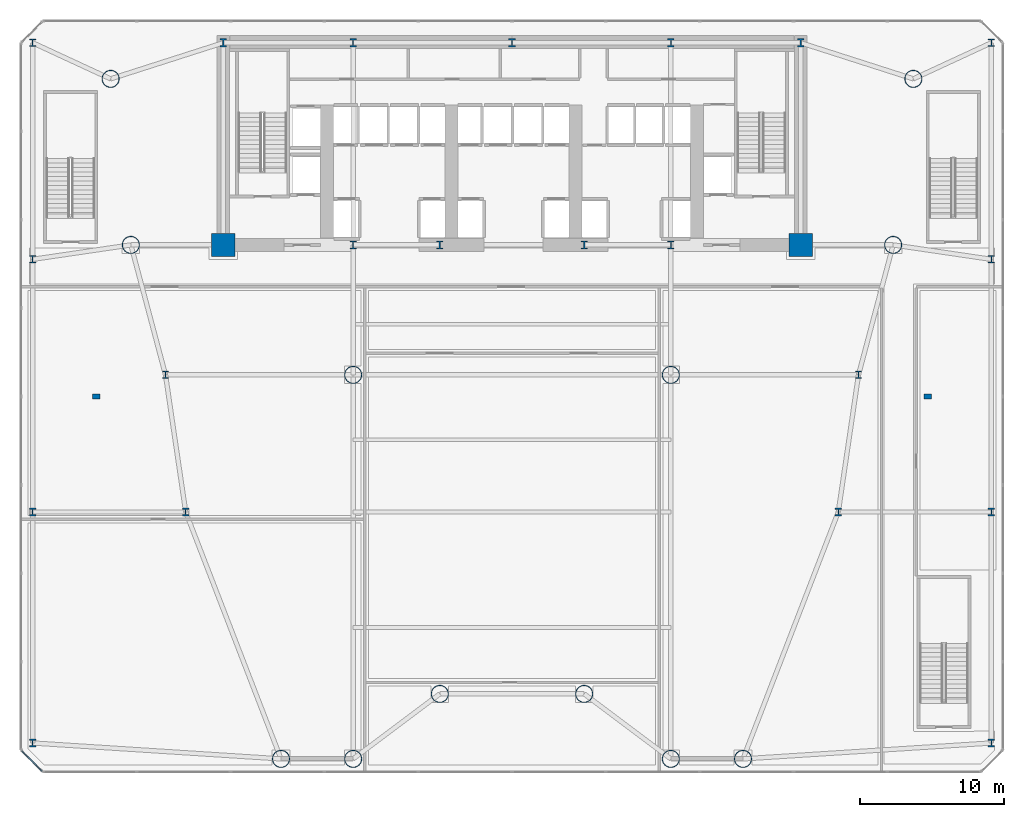
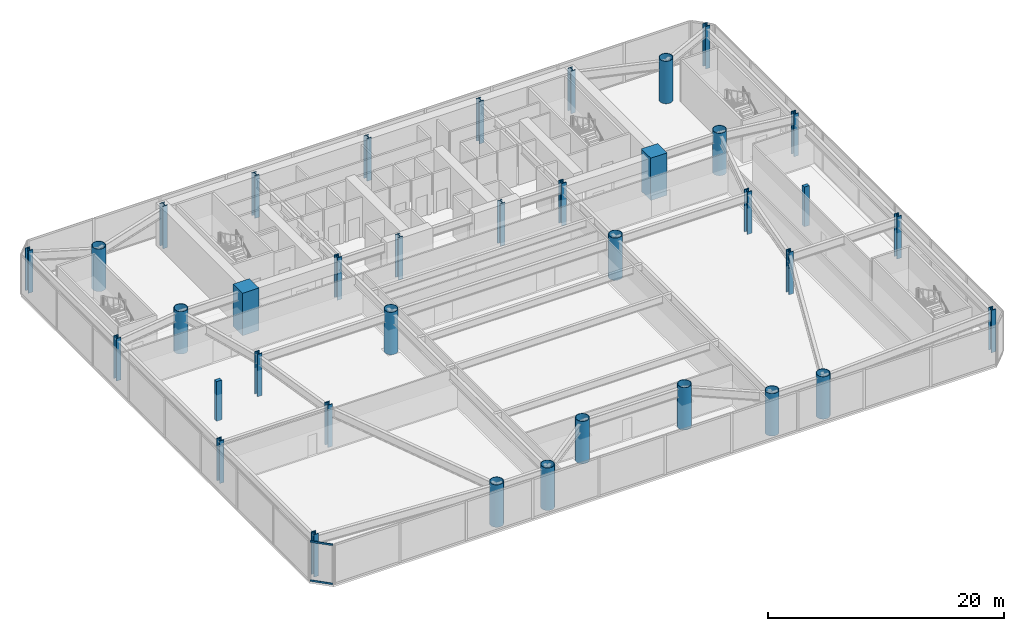
# One storey, part 1 of 24: 37 columns, 2 members, 1 element without a shape of its own.
"""IFC4 building model written with IfcOpenShell, lengths in metres."""

from ifc_helpers import new_model, si_unit, direction, frame, origin, origin_2d, place, context, subcontext, project, spatial, rectangle, hollow_circle, i_section, extrude, source, transform, mapped, material, layer, layer_set, material_profile, profile_set, type_object, element, aggregate, save


model = new_model("IFC4")

# Units and contexts
model_context = context("Model", 3, precision=1e-05, world=origin(), true_north=direction((0.0, 1.0)))
body_context = subcontext(model_context, "Body", "Model", "MODEL_VIEW")
ifc_project = project(units=[si_unit("LENGTHUNIT", "METRE"), si_unit("AREAUNIT", "SQUARE_METRE"), si_unit("VOLUMEUNIT", "CUBIC_METRE"), si_unit("PLANEANGLEUNIT", "RADIAN"), si_unit("MASSUNIT", "GRAM", prefix="KILO")], contexts=[model_context])

# Site, building, storey
site_placement = place(None, origin())
site = spatial("IfcSite", under=ifc_project, at=site_placement, CompositionType="ELEMENT")
building_placement = place(site_placement, origin())
building = spatial("IfcBuilding", under=site, at=building_placement, Name="Vaeldorn Concourse Tower", CompositionType="ELEMENT")
storey_placement = place(building_placement, frame((0.0, 0.0, 10.0)))
storey = spatial("IfcBuildingStorey", under=building, at=storey_placement, Name="L02", CompositionType="ELEMENT", Elevation=10.0)

# Columns
ifc_material_1 = material(Name="Concrete C60/75", Category="concrete")
ifc_material_profile_1 = material_profile(ifc_material_1, rectangle(XDim=1.60009765625, YDim=1.60009765625, at=origin_2d()), Name="RC 1600x1600")
ifc_profile_set_1 = profile_set([ifc_material_profile_1], Name="Concrete C60/75")
column_type_1 = type_object("IfcColumnType", Name="COL-RC1600", PredefinedType="COLUMN", material=ifc_profile_set_1)
shared_shape_1 = source(origin(), body_context, "Body", "SweptSolid", [
    extrude(rectangle(XDim=1.60009765625, YDim=1.60009765625, at=origin_2d()), origin(), (0.0, 0.0, 1.0), 4.39990234375),
])
for number, where, z_axis, x_axis, name in (
    (1, (14.0, 36.5, 0.0), (0.0, 0.0, 1.0), (1.0, 0.0, 0.0), "Column C-FC1 L02"),
    (2, (54.0, 36.5, 0.0), (0.0, 0.0, 1.0), (1.0, 0.0, 0.0), "Column C-FC6 L02"),
):
    element("IfcColumn", number, at=place(storey_placement, frame(where, z_axis=z_axis, x_axis=x_axis)), inside=storey, type_object=column_type_1, Name=name, PredefinedType="COLUMN", context=body_context, shape_type="MappedRepresentation", body=[
        mapped(shared_shape_1, transform((0.0, 0.0, 0.0), scale=1.0)),
    ])
ifc_material_2 = material(Name="Steel S460", Category="steel")
ifc_material_profile_2 = material_profile(ifc_material_2, i_section(OverallWidth=0.4541015625, OverallDepth=0.569091796875, WebThickness=0.077880859375, FlangeThickness=0.080078125, FilletRadius=0.014892578125, at=origin_2d()), Name="HD 400x1086")
ifc_profile_set_2 = profile_set([ifc_material_profile_2], Name="Steel S460")
column_type_2 = type_object("IfcColumnType", Name="COL-HD1086", PredefinedType="COLUMN", material=ifc_profile_set_2)
shared_shape_2 = source(origin(), body_context, "Body", "SweptSolid", [
    extrude(i_section(OverallWidth=0.4541015625, OverallDepth=0.569091796875, WebThickness=0.077880859375, FlangeThickness=0.080078125, FilletRadius=0.014892578125, at=origin_2d()), origin(), (0.0, 0.0, 1.0), 4.39990234375),
])
for number, where, z_axis, x_axis, name in (
    (3, (23.0, 36.5, 0.0), (0.0, 0.0, 1.0), (1.0, 0.0, 0.0), "Column C-FC2 L02"),
    (4, (29.0, 36.5, 0.0), (0.0, 0.0, 1.0), (1.0, 0.0, 0.0), "Column C-FC3 L02"),
    (5, (39.0, 36.5, 0.0), (0.0, 0.0, 1.0), (1.0, 0.0, 0.0), "Column C-FC4 L02"),
    (6, (45.0, 36.5, 0.0), (0.0, 0.0, 1.0), (1.0, 0.0, 0.0), "Column C-FC5 L02"),
    (7, (14.0, 50.5, 0.0), (0.0, 0.0, 1.0), (1.0, 0.0, 0.0), "Column C-HC1 L02"),
    (8, (23.0, 50.5, 0.0), (0.0, 0.0, 1.0), (1.0, 0.0, 0.0), "Column C-HC2 L02"),
    (9, (34.0, 50.5, 0.0), (0.0, 0.0, 1.0), (1.0, 0.0, 0.0), "Column C-HC3 L02"),
    (10, (45.0, 50.5, 0.0), (0.0, 0.0, 1.0), (1.0, 0.0, 0.0), "Column C-HC4 L02"),
    (11, (54.0, 50.5, 0.0), (0.0, 0.0, 1.0), (1.0, 0.0, 0.0), "Column C-HC5 L02"),
):
    element("IfcColumn", number, at=place(storey_placement, frame(where, z_axis=z_axis, x_axis=x_axis)), inside=storey, type_object=column_type_2, Name=name, PredefinedType="COLUMN", context=body_context, shape_type="MappedRepresentation", body=[
        mapped(shared_shape_2, transform((0.0, 0.0, 0.0), scale=1.0)),
    ])
ifc_material_profile_3 = material_profile(ifc_material_2, hollow_circle(Radius=0.609619140625, WallThickness=0.050048828125, at=origin_2d()), Name="CHS 1219x50")
ifc_profile_set_3 = profile_set([ifc_material_profile_3], Name="Steel S460")
column_type_3 = type_object("IfcColumnType", Name="COL-CHS1219", PredefinedType="COLUMN", material=ifc_profile_set_3)
shared_shape_3 = source(origin(), body_context, "Body", "SweptSolid", [
    extrude(hollow_circle(Radius=0.609619140625, WallThickness=0.050048828125, at=origin_2d()), origin(), (0.0, 0.0, 1.0), 4.39990234375),
])
for number, where, z_axis, x_axis, name in (
    (12, (6.199951171875, 48.0, 0.0), (0.0, 0.0, 1.0), (1.0, 0.0, 0.0), "Column C-NW1 L02"),
    (13, (7.60009765625, 36.5, 0.0), (0.0, 0.0, 1.0), (1.0, 0.0, 0.0), "Column C-NW2 L02"),
    (14, (61.800048828125, 48.0, 0.0), (0.0, 0.0, 1.0), (1.0, 0.0, 0.0), "Column C-NE1 L02"),
    (15, (60.39990234375, 36.5, 0.0), (0.0, 0.0, 1.0), (1.0, 0.0, 0.0), "Column C-NE2 L02"),
    (16, (18.0, 0.89990234375, 0.0), (0.0, 0.0, 1.0), (1.0, 0.0, 0.0), "Column C-SM1 L02"),
    (17, (23.0, 0.89990234375, 0.0), (0.0, 0.0, 1.0), (1.0, 0.0, 0.0), "Column C-SM2 L02"),
    (18, (29.0, 5.39990234375, 0.0), (0.0, 0.0, 1.0), (1.0, 0.0, 0.0), "Column C-SM3 L02"),
    (19, (39.0, 5.39990234375, 0.0), (0.0, 0.0, 1.0), (1.0, 0.0, 0.0), "Column C-SM4 L02"),
    (20, (45.0, 0.89990234375, 0.0), (0.0, 0.0, 1.0), (1.0, 0.0, 0.0), "Column C-SM5 L02"),
    (21, (50.0, 0.89990234375, 0.0), (0.0, 0.0, 1.0), (1.0, 0.0, 0.0), "Column C-SM6 L02"),
    (22, (23.0, 27.5, 0.0), (0.0, 0.0, 1.0), (1.0, 0.0, 0.0), "Column C-TW1 L02"),
    (23, (45.0, 27.5, 0.0), (0.0, 0.0, 1.0), (1.0, 0.0, 0.0), "Column C-TW4 L02"),
):
    element("IfcColumn", number, at=place(storey_placement, frame(where, z_axis=z_axis, x_axis=x_axis)), inside=storey, type_object=column_type_3, Name=name, PredefinedType="COLUMN", context=body_context, shape_type="MappedRepresentation", body=[
        mapped(shared_shape_3, transform((0.0, 0.0, 0.0), scale=1.0)),
    ])
ifc_material_profile_4 = material_profile(ifc_material_2, i_section(OverallWidth=0.44189453125, OverallDepth=0.531005859375, WebThickness=0.06494140625, FlangeThickness=0.075927734375, FilletRadius=0.014892578125, at=origin_2d()), Name="HD 400x900")
ifc_profile_set_4 = profile_set([ifc_material_profile_4], Name="Steel S460")
column_type_4 = type_object("IfcColumnType", Name="COL-HD900F", PredefinedType="COLUMN", material=ifc_profile_set_4)
shared_shape_4 = source(origin(), body_context, "Body", "SweptSolid", [
    extrude(i_section(OverallWidth=0.44189453125, OverallDepth=0.531005859375, WebThickness=0.06494140625, FlangeThickness=0.075927734375, FilletRadius=0.014892578125, at=origin_2d()), origin(), (0.0, 0.0, 1.0), 4.39990234375),
])
for number, where, z_axis, x_axis, name in (
    (24, (0.800048828125, 2.0, 0.0), (0.0, 0.0, 1.0), (1.0, 0.0, 0.0), "Column C-PW1 L02"),
    (25, (0.800048828125, 18.0, 0.0), (0.0, 0.0, 1.0), (1.0, 0.0, 0.0), "Column C-PW2 L02"),
    (26, (0.800048828125, 35.5, 0.0), (0.0, 0.0, 1.0), (1.0, 0.0, 0.0), "Column C-PW3 L02"),
    (27, (0.800048828125, 50.5, 0.0), (0.0, 0.0, 1.0), (1.0, 0.0, 0.0), "Column C-PW4 L02"),
    (28, (67.199951171875, 2.0, 0.0), (0.0, 0.0, 1.0), (1.0, 0.0, 0.0), "Column C-PE1 L02"),
    (29, (67.199951171875, 18.0, 0.0), (0.0, 0.0, 1.0), (1.0, 0.0, 0.0), "Column C-PE2 L02"),
    (30, (67.199951171875, 35.5, 0.0), (0.0, 0.0, 1.0), (1.0, 0.0, 0.0), "Column C-PE3 L02"),
    (31, (67.199951171875, 50.5, 0.0), (0.0, 0.0, 1.0), (1.0, 0.0, 0.0), "Column C-PE4 L02"),
    (32, (10.0, 27.5, 0.0), (0.0, 0.0, 1.0), (1.0, 0.0, 0.0), "Column C-FLW1 L02"),
    (33, (11.39990234375, 18.0, 0.0), (0.0, 0.0, 1.0), (1.0, 0.0, 0.0), "Column C-FLW2 L02"),
    (34, (58.0, 27.5, 0.0), (0.0, 0.0, 1.0), (1.0, 0.0, 0.0), "Column C-FLE1 L02"),
    (35, (56.60009765625, 18.0, 0.0), (0.0, 0.0, 1.0), (1.0, 0.0, 0.0), "Column C-FLE2 L02"),
):
    element("IfcColumn", number, at=place(storey_placement, frame(where, z_axis=z_axis, x_axis=x_axis)), inside=storey, type_object=column_type_4, Name=name, PredefinedType="COLUMN", context=body_context, shape_type="MappedRepresentation", body=[
        mapped(shared_shape_4, transform((0.0, 0.0, 0.0), scale=1.0)),
    ])
ifc_material_3 = material(Name="Concrete C50/60", Category="concrete")
ifc_material_profile_5 = material_profile(ifc_material_3, rectangle(XDim=0.5, YDim=0.35009765625, at=origin_2d()), Name="RC 500x350")
ifc_profile_set_5 = profile_set([ifc_material_profile_5], Name="Concrete C50/60")
column_type_5 = type_object("IfcColumnType", Name="PIL-RC500x350", PredefinedType="PILASTER", material=ifc_profile_set_5)
shared_shape_5 = source(origin(), body_context, "Body", "SweptSolid", [
    extrude(rectangle(XDim=0.5, YDim=0.35009765625, at=origin_2d()), origin(), (0.0, 0.0, 1.0), 4.1201171875),
])
for number, where, z_axis, x_axis, name in (
    (36, (5.199951171875, 26.0, 0.0), (0.0, 0.0, 1.0), (1.0, 0.0, 0.0), "Concourse Structural Pilaster L02-W"),
    (37, (62.800048828125, 26.0, 0.0), (0.0, 0.0, 1.0), (1.0, 0.0, 0.0), "Concourse Structural Pilaster L02-E"),
):
    element("IfcColumn", number, at=place(storey_placement, frame(where, z_axis=z_axis, x_axis=x_axis)), inside=storey, type_object=column_type_5, Name=name, PredefinedType="PILASTER", context=body_context, shape_type="MappedRepresentation", body=[
        mapped(shared_shape_5, transform((0.0, 0.0, 0.0), scale=1.0)),
    ])

# Curtain wall, members
ifc_material_4 = material(Name="Anodised Bronze Aluminium", Category="aluminium")
ifc_layer = layer(ifc_material_4, 0.239990234375)
ifc_layer_set = layer_set([ifc_layer], Name="Anodised Bronze Aluminium")
curtain_wall_type = type_object("IfcCurtainWallType", Name="CW-SYS-04", PredefinedType="NOTDEFINED", material=ifc_layer_set)
curtain_wall_placement = place(storey_placement, origin())
curtain_wall = element("IfcCurtainWall", 38, at=curtain_wall_placement, inside=storey, type_object=curtain_wall_type, Name="Unitised Curtain Wall CW-L02-E08-1", PredefinedType="NOTDEFINED")
ifc_material_profile_6 = material_profile(ifc_material_4, rectangle(XDim=0.074951171875, YDim=0.179931640625, at=origin_2d()), Name="CWT 75x180")
ifc_profile_set_6 = profile_set([ifc_material_profile_6], Name="Anodised Bronze Aluminium")
member_type = type_object("IfcMemberType", Name="CWT-BRONZE-180", PredefinedType="USERDEFINED", material=ifc_profile_set_6)
shared_shape_6 = source(origin(), body_context, "Body", "SweptSolid", [
    extrude(rectangle(XDim=0.074951171875, YDim=0.179931640625, at=origin_2d()), origin(), (0.0, 0.0, 1.0), 1.971435546875),
])
member_1_placement = place(storey_placement, frame((0.052978515625, 1.447021484375, 0.03759765625), z_axis=(0.707106781187, -0.707106781187, 0.0), x_axis=(0.707106781187, 0.707106781187, 0.0)))
member_1 = element("IfcMember", 39, at=member_1_placement, type_object=member_type, Name="CW-04 transom 1.1", ObjectType="TRANSOM", PredefinedType="USERDEFINED", context=body_context, shape_type="MappedRepresentation", body=[
    mapped(shared_shape_6, transform((0.0, 0.0, 0.0), scale=1.0)),
])
member_2_placement = place(storey_placement, frame((0.052978515625, 1.447021484375, 4.08251953125), z_axis=(0.707106781187, -0.707106781187, 0.0), x_axis=(0.707106781187, 0.707106781187, 0.0)))
member_2 = element("IfcMember", 40, at=member_2_placement, type_object=member_type, Name="CW-04 transom 1.2", ObjectType="TRANSOM", PredefinedType="USERDEFINED", context=body_context, shape_type="MappedRepresentation", body=[
    mapped(shared_shape_6, transform((0.0, 0.0, 0.0), scale=1.0)),
])
aggregate(curtain_wall, [member_1, member_2])

save(model, "model.ifc")
